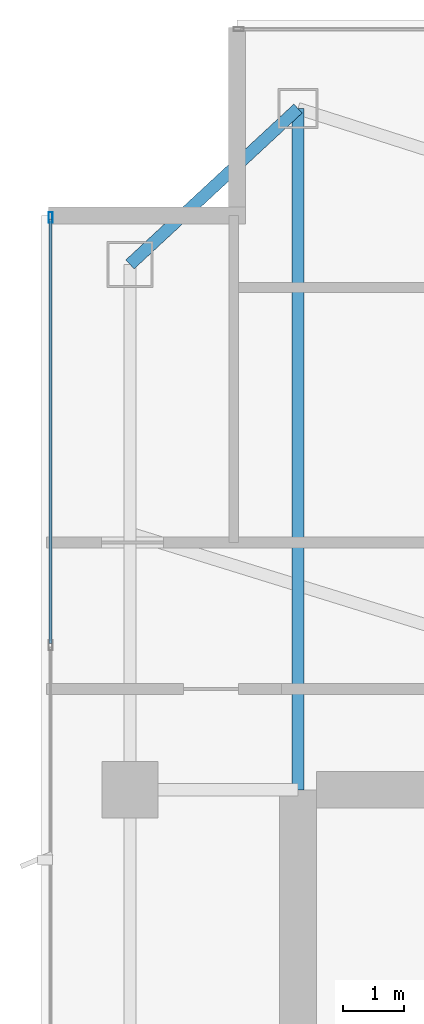
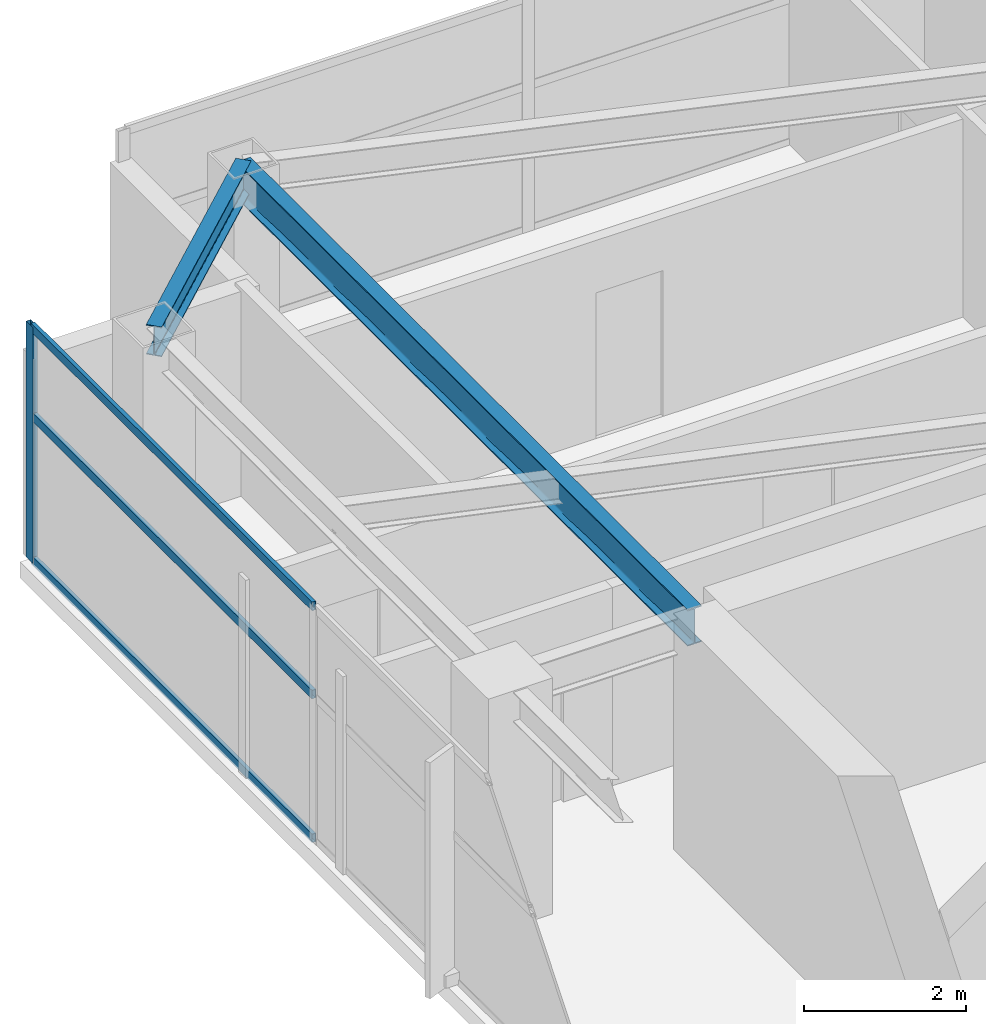
# One storey, part 17 of 27: 4 members, 2 beams, 1 element without a shape of its own.
"""IFC4 building model written with IfcOpenShell, lengths in metres."""

import ifcopenshell
import ifcopenshell.guid

model = None  # the IFC model being written
_history = None  # IfcOwnerHistory: only IFC2X3 demands one
_inside = {}  # id of a spatial element -> (the spatial element, [elements in it])
_under = {}  # id of a project, library or spatial element -> (it, [spatial elements below it])
_declared = {}  # id of a project -> (the project, [libraries it declares])
_typed = {}  # id of a type object -> (the type object, [elements of that type])
_made_of = {}  # id of a material, layer set ... -> (it, [elements and type objects made of it])


def new_model(schema):
    """Start an empty IFC model of exactly this schema.

    Asked for "IFC4X3", IfcOpenShell would pick the latest addendum, in which some entities
    have other attributes; the version numbers below select the first issue.
    IFC2X3 requires an IfcOwnerHistory on every rooted entity: one is made here for all.
    """
    global model, _history
    if schema == "IFC4X3":
        model = ifcopenshell.file(schema_version=(4, 3, 0, 0))
    else:
        model = ifcopenshell.file(schema=schema)
    _inside.clear()
    _under.clear()
    _declared.clear()
    _typed.clear()
    _made_of.clear()
    _history = None
    if model.schema == "IFC2X3":
        org = make("IfcOrganization", Name="unknown")
        user = make(
            "IfcPersonAndOrganization",
            ThePerson=make("IfcPerson", FamilyName="unknown"),
            TheOrganization=org,
        )
        app = make(
            "IfcApplication",
            ApplicationDeveloper=org,
            Version="unknown",
            ApplicationFullName="unknown",
            ApplicationIdentifier="unknown",
        )
        _history = make(
            "IfcOwnerHistory",
            OwningUser=user,
            OwningApplication=app,
            ChangeAction="ADDED",
            CreationDate=0,
        )
    return model


def make(cls, **values):
    """One entity of the class cls with the attributes given. An attribute that is None is left unset."""
    return model.create_entity(
        cls, **{name: value for name, value in values.items() if value is not None}
    )


def rooted(cls, **values):
    """An entity with a GlobalId (a new one), such as an element, a storey or a relation."""
    return make(cls, GlobalId=ifcopenshell.guid.new(), OwnerHistory=_history, **values)


def si_unit(unit_type, name, prefix=None):
    """IfcSIUnit, for example si_unit("LENGTHUNIT", "METRE", prefix="MILLI")."""
    return make("IfcSIUnit", UnitType=unit_type, Prefix=prefix, Name=name)


def assignment(units):
    """IfcUnitAssignment: the units of a project."""
    return None if units is None else make("IfcUnitAssignment", Units=units)


def point(xyz):
    """IfcCartesianPoint."""
    return None if xyz is None else make("IfcCartesianPoint", Coordinates=xyz)


def direction(xyz):
    """IfcDirection."""
    return None if xyz is None else make("IfcDirection", DirectionRatios=xyz)


def frame(location, z_axis=None, x_axis=None):
    """IfcAxis2Placement3D, a coordinate frame: its origin and axes. An axis left out is left unset."""
    return make(
        "IfcAxis2Placement3D",
        Location=point(location),
        Axis=direction(z_axis),
        RefDirection=direction(x_axis),
    )


def frame_2d(location, x_axis=None):
    """IfcAxis2Placement2D, a coordinate frame in the plane: its origin and x axis."""
    return make(
        "IfcAxis2Placement2D", Location=point(location), RefDirection=direction(x_axis)
    )


def origin():
    """The frame at (0, 0, 0) with its axes left unset."""
    return frame((0.0, 0.0, 0.0))


def origin_2d():
    """The frame at (0, 0) in the plane with its x axis left unset."""
    return frame_2d((0.0, 0.0))


def place(relative_to, where):
    """IfcLocalPlacement: puts the frame where relative to a parent placement (None: the world)."""
    return make(
        "IfcLocalPlacement", PlacementRelTo=relative_to, RelativePlacement=where
    )


def context(
    kind, dimensions, precision=None, world=None, true_north=None, identifier=None
):
    """IfcGeometricRepresentationContext, for example the 3D "Model" context."""
    return make(
        "IfcGeometricRepresentationContext",
        ContextIdentifier=identifier,
        ContextType=kind,
        CoordinateSpaceDimension=dimensions,
        Precision=precision,
        WorldCoordinateSystem=world,
        TrueNorth=true_north,
    )


def subcontext(parent, identifier, kind, view, scale=None):
    """IfcGeometricRepresentationSubContext, for example "Body" below "Model"."""
    return make(
        "IfcGeometricRepresentationSubContext",
        ContextIdentifier=identifier,
        ContextType=kind,
        ParentContext=parent,
        TargetScale=scale,
        TargetView=view,
    )


def project(units=None, contexts=None):
    """IfcProject with its units and contexts."""
    return rooted(
        "IfcProject",
        Name="project",
        RepresentationContexts=contexts,
        UnitsInContext=assignment(units),
    )


def spatial(cls, under=None, at=None, **own):
    """A site, building, storey or space (cls), placed at a placement, below another one or the project."""
    s = rooted(cls, ObjectPlacement=at, **own)
    if under is not None:
        _under.setdefault(under.id(), (under, []))[1].append(s)
    return s


def profile(cls, at=None, kind="AREA", **sizes):
    """A parametric profile (cls). Its sizes go by their IFC names, for example OverallWidth=200.0."""
    return make(cls, ProfileType=kind, Position=at, **sizes)


def hollow_rectangle(**sizes):
    """IfcRectangleHollowProfileDef."""
    return profile("IfcRectangleHollowProfileDef", **sizes)


def i_section(**sizes):
    """IfcIShapeProfileDef."""
    return profile("IfcIShapeProfileDef", **sizes)


def extrude(swept, where, along, depth):
    """IfcExtrudedAreaSolid: the profile swept, set in the frame where, extruded along a direction by depth."""
    return make(
        "IfcExtrudedAreaSolid",
        SweptArea=swept,
        Position=where,
        ExtrudedDirection=direction(along),
        Depth=depth,
    )


def shape(context_of_items, identifier, shape_type, items):
    """IfcShapeRepresentation: the items that make up one representation, for example the "Body"."""
    return make(
        "IfcShapeRepresentation",
        ContextOfItems=context_of_items,
        RepresentationIdentifier=identifier,
        RepresentationType=shape_type,
        Items=items,
    )


def material(Name=None, Category=None):
    """IfcMaterial."""
    return make("IfcMaterial", Name=Name, Category=Category)


def layer(
    of_material, thickness, ventilated=None, Name=None, Category=None, Priority=None
):
    """IfcMaterialLayer: one layer of a wall or slab, of a material (None: an air gap)."""
    return make(
        "IfcMaterialLayer",
        Material=of_material,
        LayerThickness=thickness,
        IsVentilated=ventilated,
        Name=Name,
        Category=Category,
        Priority=Priority,
    )


def layer_set(layers, Name=None):
    """IfcMaterialLayerSet."""
    return make("IfcMaterialLayerSet", MaterialLayers=layers, LayerSetName=Name)


def material_profile(
    of_material, cross_section, Name=None, Category=None, Priority=None
):
    """IfcMaterialProfile: a cross section and its material."""
    return make(
        "IfcMaterialProfile",
        Name=Name,
        Material=of_material,
        Profile=cross_section,
        Priority=Priority,
        Category=Category,
    )


def profile_set(profiles, Name=None, composite=None):
    """IfcMaterialProfileSet."""
    return make(
        "IfcMaterialProfileSet",
        Name=Name,
        MaterialProfiles=profiles,
        CompositeProfile=composite,
    )


def made_of(thing, what):
    """Note that an element or type object is made of a material, layer set ...; save() writes the relation."""
    if what is not None:
        _made_of.setdefault(what.id(), (what, []))[1].append(thing)
    return thing


def type_object(cls, material=None, **own):
    """A type object (cls), such as IfcWallType, which elements share."""
    return made_of(rooted(cls, **own), material)


def element(
    cls,
    number,
    at=None,
    inside=None,
    cuts=None,
    type_object=None,
    material=None,
    context=None,
    identifier="Body",
    shape_type=None,
    held_by="IfcProductDefinitionShape",
    body=None,
    shapes=None,
    **own,
):
    """One element of the class cls, such as IfcWall. Its Tag is "e" and its number.

    at: its placement. inside: the storey or other place that contains it. cuts: it is an
    opening in that element (IfcRelVoidsElement). A single representation is given by context,
    identifier, shape_type and body (its items); several are given by shapes. held_by: the class
    of the entity that holds the representations. save() writes the other relations.
    """
    e = rooted(cls, Tag="e%d" % number, ObjectPlacement=at, **own)
    if body is not None:
        shapes = [shape(context, identifier, shape_type, body)]
    if shapes is not None:
        e.Representation = make(held_by, Representations=shapes)
    if inside is not None:
        _inside.setdefault(inside.id(), (inside, []))[1].append(e)
    if cuts is not None:
        rooted(
            "IfcRelVoidsElement", RelatingBuildingElement=cuts, RelatedOpeningElement=e
        )
    if type_object is not None:
        _typed.setdefault(type_object.id(), (type_object, []))[1].append(e)
    return made_of(e, material)


def aggregate(whole, parts):
    """IfcRelAggregates: a whole, such as a stair, and the parts it consists of."""
    return rooted("IfcRelAggregates", RelatingObject=whole, RelatedObjects=parts)


def save(model, path):
    """Write the relations noted so far, then the file.

    IfcRelAggregates (storeys below a building ...), IfcRelContainedInSpatialStructure (elements
    in a storey), IfcRelDefinesByType, IfcRelAssociatesMaterial and IfcRelDeclares: one each for
    every whole, place, type object, material and project.
    """
    for whole, parts in _under.values():
        aggregate(whole, parts)
    for where, things in _inside.values():
        rooted(
            "IfcRelContainedInSpatialStructure",
            RelatedElements=things,
            RelatingStructure=where,
        )
    for kind, things in _typed.values():
        rooted("IfcRelDefinesByType", RelatedObjects=things, RelatingType=kind)
    for what, things in _made_of.values():
        rooted("IfcRelAssociatesMaterial", RelatedObjects=things, RelatingMaterial=what)
    for by, libraries in _declared.values():
        rooted("IfcRelDeclares", RelatingContext=by, RelatedDefinitions=libraries)
    model.write(path)


model = new_model("IFC4")

# Units and contexts
model_context = context("Model", 3, precision=1e-05, world=origin(), true_north=direction((0.0, 1.0)))
body_context = subcontext(model_context, "Body", "Model", "MODEL_VIEW")
ifc_project = project(units=[si_unit("LENGTHUNIT", "METRE"), si_unit("AREAUNIT", "SQUARE_METRE"), si_unit("VOLUMEUNIT", "CUBIC_METRE"), si_unit("PLANEANGLEUNIT", "RADIAN"), si_unit("MASSUNIT", "GRAM", prefix="KILO")], contexts=[model_context])

# Site, building, storey
site_placement = place(None, origin())
site = spatial("IfcSite", under=ifc_project, at=site_placement, CompositionType="ELEMENT")
building_placement = place(site_placement, origin())
building = spatial("IfcBuilding", under=site, at=building_placement, Name="Calvorn Quay Hotel", CompositionType="ELEMENT")
storey_placement = place(building_placement, frame((0.0, 0.0, 291.10009765625)))
storey = spatial("IfcBuildingStorey", under=building, at=storey_placement, Name="L72", CompositionType="ELEMENT", Elevation=291.10009765625)

# Beams
ifc_material_1 = material(Name="Steel Q355B", Category="steel")
ifc_material_profile_1 = material_profile(ifc_material_1, i_section(OverallWidth=0.199951171875, OverallDepth=0.550048828125, WebThickness=0.010009765625, FlangeThickness=0.01611328125, FilletRadius=0.01806640625, at=origin_2d()), Name="HN550x200x10x16")
ifc_profile_set_1 = profile_set([ifc_material_profile_1], Name="Steel Q355B")
beam_type_1 = type_object("IfcBeamType", Name="BM-GIRD-UPP", PredefinedType="BEAM", material=ifc_profile_set_1)
beam_1_placement = place(storey_placement, frame((4.199951171875, 49.550048828125, 3.264892578125), z_axis=(0.0, -1.0, 0.0), x_axis=(1.0, 0.0, 0.0)))
element("IfcBeam", 1, at=beam_1_placement, inside=storey, type_object=beam_type_1, Name="Beam BG-L72-W5", PredefinedType="BEAM", context=body_context, shape_type="SweptSolid", body=[
    extrude(i_section(OverallWidth=0.199951171875, OverallDepth=0.550048828125, WebThickness=0.010009765625, FlangeThickness=0.01611328125, FilletRadius=0.01806640625, at=origin_2d()), origin(), (0.0, 0.0, 1.0), 11.150146484375),
])
ifc_material_2 = material(Name="Steel Q355B", Category="steel")
ifc_material_profile_2 = material_profile(ifc_material_2, i_section(OverallWidth=0.199951171875, OverallDepth=0.449951171875, WebThickness=0.009033203125, FlangeThickness=0.013916015625, FilletRadius=0.01611328125, at=origin_2d()), Name="HN450x200x9x14")
ifc_profile_set_2 = profile_set([ifc_material_profile_2], Name="Steel Q355B")
beam_type_2 = type_object("IfcBeamType", Name="BM-SPANDREL-Z3", PredefinedType="SPANDREL", material=ifc_profile_set_2)
beam_2_placement = place(storey_placement, frame((1.449951171875, 47.0, 3.31494140625), z_axis=(0.733261665538, 0.679946563969, 0.0), x_axis=(-0.679946563969, 0.733261665538, 0.0)))
element("IfcBeam", 2, at=beam_2_placement, inside=storey, type_object=beam_type_2, Name="Beam BSP-L72-W5", PredefinedType="SPANDREL", context=body_context, shape_type="SweptSolid", body=[
    extrude(i_section(OverallWidth=0.199951171875, OverallDepth=0.449951171875, WebThickness=0.009033203125, FlangeThickness=0.013916015625, FilletRadius=0.01611328125, at=origin_2d()), origin(), (0.0, 0.0, 1.0), 3.75048828125),
])

# Curtain wall, members
ifc_material_3 = material(Name="Champagne Bronze Anodised Aluminium and Low-E Glass", Category="aluminium")
ifc_layer = layer(ifc_material_3, 0.219970703125)
ifc_layer_set = layer_set([ifc_layer], Name="CW-SYS-Z4")
curtain_wall_type = type_object("IfcCurtainWallType", Name="CW-SYS-Z4", PredefinedType="NOTDEFINED", material=ifc_layer_set)
curtain_wall_placement = place(storey_placement, origin())
curtain_wall = element("IfcCurtainWall", 3, at=curtain_wall_placement, inside=storey, type_object=curtain_wall_type, Name="Tower West Curtain Wall (L72)", PredefinedType="NOTDEFINED")
ifc_material_4 = material(Name="Champagne Bronze Anodised Aluminium 6063-T6", Category="aluminium")
ifc_material_profile_3 = material_profile(ifc_material_4, hollow_rectangle(XDim=0.06494140625, YDim=0.169921875, WallThickness=0.00341796875, at=origin_2d()), Name="ALU-M170x65x3.5")
ifc_profile_set_3 = profile_set([ifc_material_profile_3], Name="Champagne Bronze Anodised Aluminium 6063-T6")
member_type_1 = type_object("IfcMemberType", Name="CW-SYS-Z4-MUL", PredefinedType="MULLION", material=ifc_profile_set_3)
member_1_placement = place(storey_placement, frame((0.14990234375, 47.77001953125, 0.0), z_axis=(0.0, 0.0, 1.0), x_axis=(-1.0, 0.0, 0.0)))
member_1 = element("IfcMember", 4, at=member_1_placement, type_object=member_type_1, Name="CW-L72-W mullion 7", PredefinedType="MULLION", context=body_context, shape_type="SweptSolid", body=[
    extrude(hollow_rectangle(XDim=0.06494140625, YDim=0.169921875, WallThickness=0.00341796875, at=origin_2d()), origin(), (0.0, 0.0, 1.0), 3.559814453125),
])
ifc_material_5 = material(Name="Champagne Bronze Anodised Aluminium 6063-T6", Category="aluminium")
ifc_material_profile_4 = material_profile(ifc_material_5, hollow_rectangle(XDim=0.054931640625, YDim=0.1298828125, WallThickness=0.003173828125, at=origin_2d()), Name="ALU-T130x55x3.2")
ifc_profile_set_4 = profile_set([ifc_material_profile_4], Name="Champagne Bronze Anodised Aluminium 6063-T6")
member_type_2 = type_object("IfcMemberType", Name="CW-SYS-Z4-TRN", PredefinedType="USERDEFINED", material=ifc_profile_set_4)
member_2_placement = place(storey_placement, frame((0.14990234375, 40.796630859375, 0.02978515625), z_axis=(0.0, 1.0, 0.0), x_axis=(-1.0, 0.0, 0.0)))
member_2 = element("IfcMember", 5, at=member_2_placement, type_object=member_type_2, Name="CW-L72-W transom 6.1", ObjectType="TRANSOM", PredefinedType="USERDEFINED", context=body_context, shape_type="SweptSolid", body=[
    extrude(hollow_rectangle(XDim=0.054931640625, YDim=0.1298828125, WallThickness=0.003173828125, at=origin_2d()), origin(), (0.0, 0.0, 1.0), 6.943359375),
])
member_3_placement = place(storey_placement, frame((0.14990234375, 40.796630859375, 2.199951171875), z_axis=(0.0, 1.0, 0.0), x_axis=(-1.0, 0.0, 0.0)))
member_3 = element("IfcMember", 6, at=member_3_placement, type_object=member_type_2, Name="CW-L72-W transom 6.2", ObjectType="TRANSOM", PredefinedType="USERDEFINED", context=body_context, shape_type="SweptSolid", body=[
    extrude(hollow_rectangle(XDim=0.054931640625, YDim=0.1298828125, WallThickness=0.003173828125, at=origin_2d()), origin(), (0.0, 0.0, 1.0), 6.943359375),
])
member_4_placement = place(storey_placement, frame((0.14990234375, 40.796630859375, 3.52978515625), z_axis=(0.0, 1.0, 0.0), x_axis=(-1.0, 0.0, 0.0)))
member_4 = element("IfcMember", 7, at=member_4_placement, type_object=member_type_2, Name="CW-L72-W transom 6.3", ObjectType="TRANSOM", PredefinedType="USERDEFINED", context=body_context, shape_type="SweptSolid", body=[
    extrude(hollow_rectangle(XDim=0.054931640625, YDim=0.1298828125, WallThickness=0.003173828125, at=origin_2d()), origin(), (0.0, 0.0, 1.0), 6.943359375),
])
aggregate(curtain_wall, [member_1, member_2, member_3, member_4])

save(model, "model.ifc")
